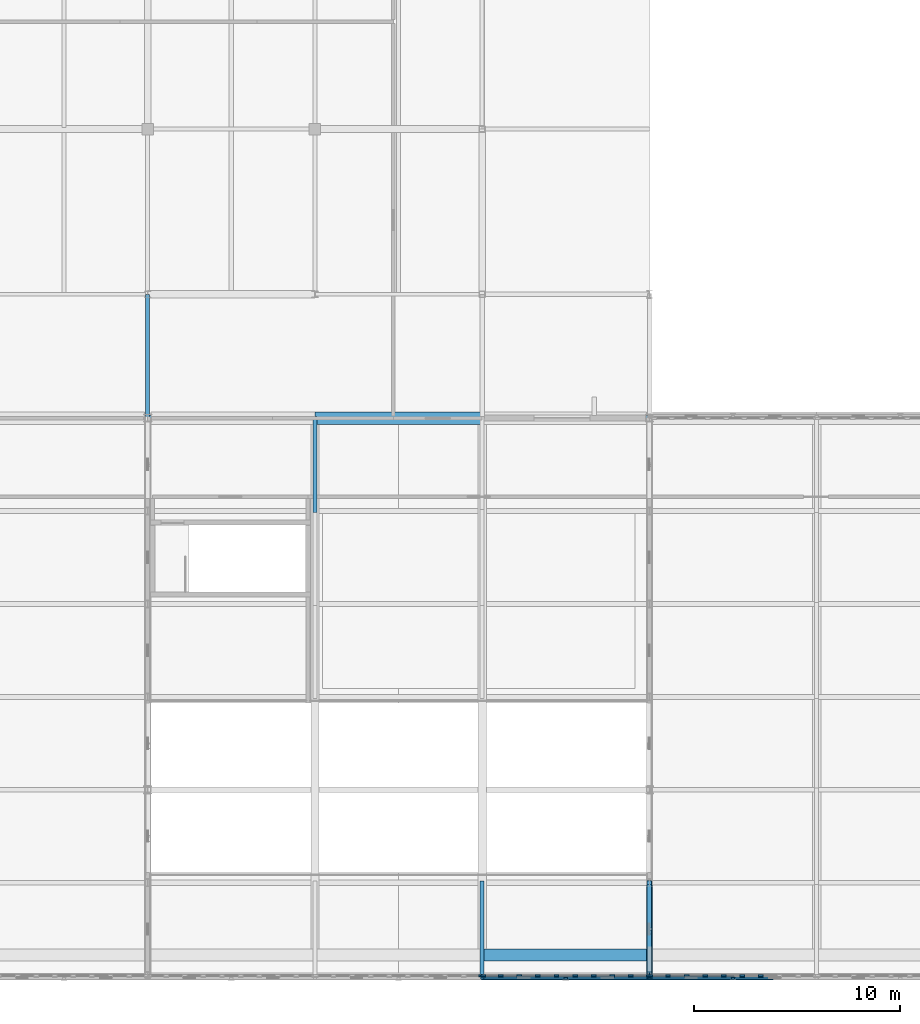
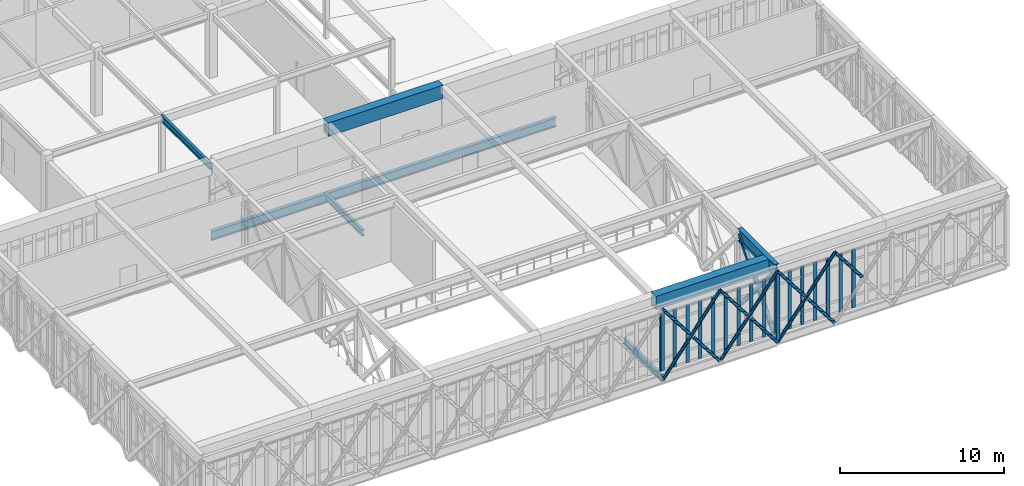
# One storey, part 15 of 70: 32 members, 7 beams, 3 elements without a shape of their own.
"""IFC4 building model written with IfcOpenShell, lengths in metres."""

from ifc_helpers import new_model, si_unit, direction, frame, origin, origin_2d, place, context, subcontext, project, spatial, rectangle, hollow_rectangle, hollow_circle, i_section, extrude, material, material_profile, profile_set, type_object, element, aggregate, save


model = new_model("IFC4")

# Units and contexts
model_context = context("Model", 3, precision=1e-05, world=origin(), true_north=direction((0.0, 1.0)))
body_context = subcontext(model_context, "Body", "Model", "MODEL_VIEW")
ifc_project = project(units=[si_unit("LENGTHUNIT", "METRE"), si_unit("AREAUNIT", "SQUARE_METRE"), si_unit("VOLUMEUNIT", "CUBIC_METRE"), si_unit("PLANEANGLEUNIT", "RADIAN"), si_unit("MASSUNIT", "GRAM", prefix="KILO")], contexts=[model_context])

# Site, building, storey
site_placement = place(None, origin())
site = spatial("IfcSite", under=ifc_project, at=site_placement, CompositionType="ELEMENT")
building_placement = place(site_placement, origin())
building = spatial("IfcBuilding", under=site, at=building_placement, Name="Tarnveldt Square Police Headquarters", CompositionType="ELEMENT")
storey_placement = place(building_placement, frame((0.0, 0.0, 19.800048828125)))
storey = spatial("IfcBuildingStorey", under=building, at=storey_placement, Name="L04", CompositionType="ELEMENT", Elevation=19.800048828125)

# Beams
ifc_material_1 = material(Name="Steel 350W", Category="steel")
ifc_material_profile_1 = material_profile(ifc_material_1, i_section(OverallWidth=0.305908203125, OverallDepth=0.9189453125, WebThickness=0.017333984375, FlangeThickness=0.02783203125, FilletRadius=0.02392578125, at=origin_2d()), Name="W920x253")
ifc_profile_set_1 = profile_set([ifc_material_profile_1], Name="Steel 350W")
beam_type_1 = type_object("IfcBeamType", Name="BM-CT-TOP", PredefinedType="BEAM", material=ifc_profile_set_1)
beam_1_placement = place(storey_placement, frame((48.60009765625, 11.5, 4.640380859375), z_axis=(0.0, -1.0, 0.0), x_axis=(1.0, 0.0, 0.0)))
element("IfcBeam", 1, at=beam_1_placement, inside=storey, type_object=beam_type_1, Name="Cantilever Truss CT-3 Top Chord 6", PredefinedType="BEAM", context=body_context, shape_type="SweptSolid", body=[
    extrude(i_section(OverallWidth=0.305908203125, OverallDepth=0.9189453125, WebThickness=0.017333984375, FlangeThickness=0.02783203125, FilletRadius=0.02392578125, at=origin_2d()), origin(), (0.0, 0.0, 1.0), 4.5),
])
ifc_material_2 = material(Name="Concrete 50 MPa", Category="concrete")
ifc_material_profile_2 = material_profile(ifc_material_2, rectangle(XDim=0.60009765625, YDim=1.0, at=origin_2d()), Name="RC-B600x1000")
ifc_profile_set_2 = profile_set([ifc_material_profile_2], Name="Concrete 50 MPa")
beam_type_2 = type_object("IfcBeamType", Name="BM-RC600x1000", PredefinedType="BEAM", material=ifc_profile_set_2)
beam_2_placement = place(storey_placement, frame((32.39990234375, 34.0, 4.599853515625), z_axis=(1.0, 0.0, 0.0), x_axis=(0.0, 1.0, 0.0)))
element("IfcBeam", 2, at=beam_2_placement, inside=storey, type_object=beam_type_2, Name="Command and Control Room Springing Edge Ring Beam N4", PredefinedType="BEAM", context=body_context, shape_type="SweptSolid", body=[
    extrude(rectangle(XDim=0.60009765625, YDim=1.0, at=origin_2d()), origin(), (0.0, 0.0, 1.0), 8.10009765625),
])
beam_3_placement = place(storey_placement, frame((40.5, 8.0, 4.599853515625), z_axis=(1.0, 0.0, 0.0), x_axis=(0.0, 1.0, 0.0)))
element("IfcBeam", 3, at=beam_3_placement, inside=storey, type_object=beam_type_2, Name="Command and Control Room Springing Edge Ring Beam S5", PredefinedType="BEAM", context=body_context, shape_type="SweptSolid", body=[
    extrude(rectangle(XDim=0.60009765625, YDim=1.0, at=origin_2d()), origin(), (0.0, 0.0, 1.0), 7.949951171875),
])
ifc_material_profile_3 = material_profile(ifc_material_1, i_section(OverallWidth=0.19189453125, OverallDepth=0.462890625, WebThickness=0.010498046875, FlangeThickness=0.017578125, FilletRadius=0.01806640625, at=origin_2d()), Name="W460x89")
ifc_profile_set_3 = profile_set([ifc_material_profile_3], Name="Steel 350W")
beam_type_3 = type_object("IfcBeamType", Name="BM-W460x89", PredefinedType="BEAM", material=ifc_profile_set_3)
beam_4_placement = place(storey_placement, frame((24.300048828125, 34.0, 4.528564453125), z_axis=(0.0, 1.0, 0.0), x_axis=(-1.0, 0.0, 0.0)))
element("IfcBeam", 4, at=beam_4_placement, inside=storey, type_object=beam_type_3, Name="L05 Grid Girder Y-0974", PredefinedType="BEAM", context=body_context, shape_type="SweptSolid", body=[
    extrude(i_section(OverallWidth=0.19189453125, OverallDepth=0.462890625, WebThickness=0.010498046875, FlangeThickness=0.017578125, FilletRadius=0.01806640625, at=origin_2d()), origin(), (0.0, 0.0, 1.0), 6.0),
])
for number, where, z_axis, x_axis, name in (
    (5, (32.39990234375, 34.080078125, -0.491455078125), (0.0, -1.0, 0.0), (1.0, 0.0, 0.0), "Lantern L04 Secondary Beam 32.0"),
    (6, (40.5, 11.580078125, -0.491455078125), (0.0, -1.0, 0.0), (1.0, 0.0, 0.0), "Lantern L04 Secondary Beam 40.5"),
):
    element("IfcBeam", number, at=place(storey_placement, frame(where, z_axis=z_axis, x_axis=x_axis)), inside=storey, type_object=beam_type_3, Name=name, PredefinedType="BEAM", context=body_context, shape_type="SweptSolid", body=[
        extrude(i_section(OverallWidth=0.19189453125, OverallDepth=0.462890625, WebThickness=0.010498046875, FlangeThickness=0.017578125, FilletRadius=0.01806640625, at=origin_2d()), origin(), (0.0, 0.0, 1.0), 4.66015625),
    ])
ifc_material_profile_4 = material_profile(ifc_material_1, i_section(OverallWidth=0.25390625, OverallDepth=0.68798828125, WebThickness=0.01318359375, FlangeThickness=0.02099609375, FilletRadius=0.02001953125, at=origin_2d()), Name="W690x152")
ifc_profile_set_4 = profile_set([ifc_material_profile_4], Name="Steel 350W")
beam_type_4 = type_object("IfcBeamType", Name="BM-W690x152", PredefinedType="BEAM", material=ifc_profile_set_4)
beam_5_placement = place(storey_placement, frame((24.300048828125, 34.0, -0.60400390625), z_axis=(1.0, 0.0, 0.0), x_axis=(0.0, 1.0, 0.0)))
element("IfcBeam", 7, at=beam_5_placement, inside=storey, type_object=beam_type_4, Name="Command Lantern L04 Transverse Girder 2.0", PredefinedType="BEAM", context=body_context, shape_type="SweptSolid", body=[
    extrude(i_section(OverallWidth=0.25390625, OverallDepth=0.68798828125, WebThickness=0.01318359375, FlangeThickness=0.02099609375, FilletRadius=0.02001953125, at=origin_2d()), origin(), (0.0, 0.0, 1.0), 24.300048828125),
])

# Curtain wall, member
ifc_material_3 = material(Name="UL 752 Level III laminated ballistic vision glass", Category="glass")
curtain_wall_type_1 = type_object("IfcCurtainWallType", Name="CW-BL-810x429", PredefinedType="USERDEFINED", material=ifc_material_3)
curtain_wall_1_placement = place(storey_placement, origin())
curtain_wall_1 = element("IfcCurtainWall", 8, at=curtain_wall_1_placement, inside=storey, type_object=curtain_wall_type_1, Name="L04 Curtain Wall CW-L04-043", ObjectType="BALLISTIC CURTAIN WALL", PredefinedType="USERDEFINED")
ifc_material_4 = material(Name="Thermally broken anodised aluminium 6063-T6", Category="aluminium")
ifc_material_profile_5 = material_profile(ifc_material_4, rectangle(XDim=0.0849609375, YDim=0.239990234375, at=origin_2d()), Name="CW-M85x240")
ifc_profile_set_5 = profile_set([ifc_material_profile_5], Name="Thermally broken anodised aluminium 6063-T6")
member_type_1 = type_object("IfcMemberType", Name="CWM-85x240", PredefinedType="MULLION", material=ifc_profile_set_5)
member_1_placement = place(storey_placement, frame((40.45751953125, 7.0, 0.0), z_axis=(0.0, 0.0, 1.0), x_axis=(0.0, 1.0, 0.0)))
member_1 = element("IfcMember", 9, at=member_1_placement, type_object=member_type_1, Name="CW-BL18 mullion 10", PredefinedType="MULLION", context=body_context, shape_type="SweptSolid", body=[
    extrude(rectangle(XDim=0.0849609375, YDim=0.239990234375, at=origin_2d()), origin(), (0.0, 0.0, 1.0), 4.288330078125),
])
aggregate(curtain_wall_1, [member_1])

# Curtain wall, members
curtain_wall_2_placement = place(storey_placement, origin())
curtain_wall_2 = element("IfcCurtainWall", 10, at=curtain_wall_2_placement, inside=storey, type_object=curtain_wall_type_1, Name="L04 Curtain Wall CW-L04-044", ObjectType="BALLISTIC CURTAIN WALL", PredefinedType="USERDEFINED")
member_2_placement = place(storey_placement, frame((40.54248046875, 7.0, 0.0), z_axis=(0.0, 0.0, 1.0), x_axis=(0.0, 1.0, 0.0)))
member_2 = element("IfcMember", 11, at=member_2_placement, type_object=member_type_1, Name="CW-BL18 mullion 1", PredefinedType="MULLION", context=body_context, shape_type="SweptSolid", body=[
    extrude(rectangle(XDim=0.0849609375, YDim=0.239990234375, at=origin_2d()), origin(), (0.0, 0.0, 1.0), 4.288330078125),
])
member_3_placement = place(storey_placement, frame((41.39990234375, 7.0, 0.0), z_axis=(0.0, 0.0, 1.0), x_axis=(0.0, 1.0, 0.0)))
member_3 = element("IfcMember", 12, at=member_3_placement, type_object=member_type_1, Name="CW-BL18 mullion 2", PredefinedType="MULLION", context=body_context, shape_type="SweptSolid", body=[
    extrude(rectangle(XDim=0.0849609375, YDim=0.239990234375, at=origin_2d()), origin(), (0.0, 0.0, 1.0), 4.288330078125),
])
member_4_placement = place(storey_placement, frame((42.300048828125, 7.0, 0.0), z_axis=(0.0, 0.0, 1.0), x_axis=(0.0, 1.0, 0.0)))
member_4 = element("IfcMember", 13, at=member_4_placement, type_object=member_type_1, Name="CW-BL18 mullion 3", PredefinedType="MULLION", context=body_context, shape_type="SweptSolid", body=[
    extrude(rectangle(XDim=0.0849609375, YDim=0.239990234375, at=origin_2d()), origin(), (0.0, 0.0, 1.0), 4.288330078125),
])
member_5_placement = place(storey_placement, frame((43.199951171875, 7.0, 0.0), z_axis=(0.0, 0.0, 1.0), x_axis=(0.0, 1.0, 0.0)))
member_5 = element("IfcMember", 14, at=member_5_placement, type_object=member_type_1, Name="CW-BL18 mullion 4", PredefinedType="MULLION", context=body_context, shape_type="SweptSolid", body=[
    extrude(rectangle(XDim=0.0849609375, YDim=0.239990234375, at=origin_2d()), origin(), (0.0, 0.0, 1.0), 4.288330078125),
])
member_6_placement = place(storey_placement, frame((44.10009765625, 7.0, 0.0), z_axis=(0.0, 0.0, 1.0), x_axis=(0.0, 1.0, 0.0)))
member_6 = element("IfcMember", 15, at=member_6_placement, type_object=member_type_1, Name="CW-BL18 mullion 5", PredefinedType="MULLION", context=body_context, shape_type="SweptSolid", body=[
    extrude(rectangle(XDim=0.0849609375, YDim=0.239990234375, at=origin_2d()), origin(), (0.0, 0.0, 1.0), 4.288330078125),
])
member_7_placement = place(storey_placement, frame((45.0, 7.0, 0.0), z_axis=(0.0, 0.0, 1.0), x_axis=(0.0, 1.0, 0.0)))
member_7 = element("IfcMember", 16, at=member_7_placement, type_object=member_type_1, Name="CW-BL18 mullion 6", PredefinedType="MULLION", context=body_context, shape_type="SweptSolid", body=[
    extrude(rectangle(XDim=0.0849609375, YDim=0.239990234375, at=origin_2d()), origin(), (0.0, 0.0, 1.0), 4.288330078125),
])
member_8_placement = place(storey_placement, frame((45.89990234375, 7.0, 0.0), z_axis=(0.0, 0.0, 1.0), x_axis=(0.0, 1.0, 0.0)))
member_8 = element("IfcMember", 17, at=member_8_placement, type_object=member_type_1, Name="CW-BL18 mullion 7", PredefinedType="MULLION", context=body_context, shape_type="SweptSolid", body=[
    extrude(rectangle(XDim=0.0849609375, YDim=0.239990234375, at=origin_2d()), origin(), (0.0, 0.0, 1.0), 4.288330078125),
])
member_9_placement = place(storey_placement, frame((46.800048828125, 7.0, 0.0), z_axis=(0.0, 0.0, 1.0), x_axis=(0.0, 1.0, 0.0)))
member_9 = element("IfcMember", 18, at=member_9_placement, type_object=member_type_1, Name="CW-BL18 mullion 8", PredefinedType="MULLION", context=body_context, shape_type="SweptSolid", body=[
    extrude(rectangle(XDim=0.0849609375, YDim=0.239990234375, at=origin_2d()), origin(), (0.0, 0.0, 1.0), 4.288330078125),
])
member_10_placement = place(storey_placement, frame((47.699951171875, 7.0, 0.0), z_axis=(0.0, 0.0, 1.0), x_axis=(0.0, 1.0, 0.0)))
member_10 = element("IfcMember", 19, at=member_10_placement, type_object=member_type_1, Name="CW-BL18 mullion 9", PredefinedType="MULLION", context=body_context, shape_type="SweptSolid", body=[
    extrude(rectangle(XDim=0.0849609375, YDim=0.239990234375, at=origin_2d()), origin(), (0.0, 0.0, 1.0), 4.288330078125),
])
member_11_placement = place(storey_placement, frame((48.5576171875, 7.0, 0.0), z_axis=(0.0, 0.0, 1.0), x_axis=(0.0, 1.0, 0.0)))
member_11 = element("IfcMember", 20, at=member_11_placement, type_object=member_type_1, Name="CW-BL18 mullion 10", PredefinedType="MULLION", context=body_context, shape_type="SweptSolid", body=[
    extrude(rectangle(XDim=0.0849609375, YDim=0.239990234375, at=origin_2d()), origin(), (0.0, 0.0, 1.0), 4.288330078125),
])
aggregate(curtain_wall_2, [member_2, member_3, member_4, member_5, member_6, member_7, member_8, member_9, member_10, member_11])

curtain_wall_type_2 = type_object("IfcCurtainWallType", Name="CW-BL-810x433", PredefinedType="USERDEFINED", material=ifc_material_3)
curtain_wall_3_placement = place(storey_placement, origin())
curtain_wall_3 = element("IfcCurtainWall", 21, at=curtain_wall_3_placement, inside=storey, type_object=curtain_wall_type_2, Name="L04 Curtain Wall CW-L04-045", ObjectType="BALLISTIC CURTAIN WALL", PredefinedType="USERDEFINED")
member_12_placement = place(storey_placement, frame((48.642578125, 7.0, 0.0), z_axis=(0.0, 0.0, 1.0), x_axis=(0.0, 1.0, 0.0)))
member_12 = element("IfcMember", 22, at=member_12_placement, type_object=member_type_1, Name="CW-BL17 mullion 1", PredefinedType="MULLION", context=body_context, shape_type="SweptSolid", body=[
    extrude(rectangle(XDim=0.0849609375, YDim=0.239990234375, at=origin_2d()), origin(), (0.0, 0.0, 1.0), 4.326416015625),
])
member_13_placement = place(storey_placement, frame((49.5, 7.0, 0.0), z_axis=(0.0, 0.0, 1.0), x_axis=(0.0, 1.0, 0.0)))
member_13 = element("IfcMember", 23, at=member_13_placement, type_object=member_type_1, Name="CW-BL17 mullion 2", PredefinedType="MULLION", context=body_context, shape_type="SweptSolid", body=[
    extrude(rectangle(XDim=0.0849609375, YDim=0.239990234375, at=origin_2d()), origin(), (0.0, 0.0, 1.0), 4.326416015625),
])
member_14_placement = place(storey_placement, frame((50.39990234375, 7.0, 0.0), z_axis=(0.0, 0.0, 1.0), x_axis=(0.0, 1.0, 0.0)))
member_14 = element("IfcMember", 24, at=member_14_placement, type_object=member_type_1, Name="CW-BL17 mullion 3", PredefinedType="MULLION", context=body_context, shape_type="SweptSolid", body=[
    extrude(rectangle(XDim=0.0849609375, YDim=0.239990234375, at=origin_2d()), origin(), (0.0, 0.0, 1.0), 4.326416015625),
])
member_15_placement = place(storey_placement, frame((51.300048828125, 7.0, 0.0), z_axis=(0.0, 0.0, 1.0), x_axis=(0.0, 1.0, 0.0)))
member_15 = element("IfcMember", 25, at=member_15_placement, type_object=member_type_1, Name="CW-BL17 mullion 4", PredefinedType="MULLION", context=body_context, shape_type="SweptSolid", body=[
    extrude(rectangle(XDim=0.0849609375, YDim=0.239990234375, at=origin_2d()), origin(), (0.0, 0.0, 1.0), 4.326416015625),
])
member_16_placement = place(storey_placement, frame((52.199951171875, 7.0, 0.0), z_axis=(0.0, 0.0, 1.0), x_axis=(0.0, 1.0, 0.0)))
member_16 = element("IfcMember", 26, at=member_16_placement, type_object=member_type_1, Name="CW-BL17 mullion 5", PredefinedType="MULLION", context=body_context, shape_type="SweptSolid", body=[
    extrude(rectangle(XDim=0.0849609375, YDim=0.239990234375, at=origin_2d()), origin(), (0.0, 0.0, 1.0), 4.326416015625),
])
member_17_placement = place(storey_placement, frame((53.10009765625, 7.0, 0.0), z_axis=(0.0, 0.0, 1.0), x_axis=(0.0, 1.0, 0.0)))
member_17 = element("IfcMember", 27, at=member_17_placement, type_object=member_type_1, Name="CW-BL17 mullion 6", PredefinedType="MULLION", context=body_context, shape_type="SweptSolid", body=[
    extrude(rectangle(XDim=0.0849609375, YDim=0.239990234375, at=origin_2d()), origin(), (0.0, 0.0, 1.0), 4.326416015625),
])
member_18_placement = place(storey_placement, frame((54.0, 7.0, 0.0), z_axis=(0.0, 0.0, 1.0), x_axis=(0.0, 1.0, 0.0)))
member_18 = element("IfcMember", 28, at=member_18_placement, type_object=member_type_1, Name="CW-BL17 mullion 7", PredefinedType="MULLION", context=body_context, shape_type="SweptSolid", body=[
    extrude(rectangle(XDim=0.0849609375, YDim=0.239990234375, at=origin_2d()), origin(), (0.0, 0.0, 1.0), 4.326416015625),
])
aggregate(curtain_wall_3, [member_12, member_13, member_14, member_15, member_16, member_17, member_18])

# Members
ifc_material_profile_6 = material_profile(ifc_material_1, i_section(OverallWidth=0.257080078125, OverallDepth=0.363037109375, WebThickness=0.012939453125, FlangeThickness=0.021728515625, FilletRadius=0.01611328125, at=origin_2d()), Name="W360x122")
ifc_profile_set_6 = profile_set([ifc_material_profile_6], Name="Steel 350W")
member_type_2 = type_object("IfcMemberType", Name="MEM-CT-POST", PredefinedType="STRUT", material=ifc_profile_set_6)
member_19_placement = place(storey_placement, frame((48.60009765625, 7.0, -0.64306640625), z_axis=(0.0, 0.0, 1.0), x_axis=(1.0, 0.0, 0.0)))
element("IfcMember", 29, at=member_19_placement, inside=storey, type_object=member_type_2, Name="Cantilever Truss CT-3 L04 Post 7", PredefinedType="STRUT", context=body_context, shape_type="SweptSolid", body=[
    extrude(i_section(OverallWidth=0.257080078125, OverallDepth=0.363037109375, WebThickness=0.012939453125, FlangeThickness=0.021728515625, FilletRadius=0.01611328125, at=origin_2d()), origin(), (0.0, 0.0, 1.0), 5.283447265625),
])
ifc_material_profile_7 = material_profile(ifc_material_1, hollow_rectangle(XDim=0.25390625, YDim=0.25390625, WallThickness=0.0126953125, InnerFilletRadius=0.0126953125, OuterFilletRadius=0.025390625, at=origin_2d()), Name="HSS254x254x13")
ifc_profile_set_7 = profile_set([ifc_material_profile_7], Name="Steel 350W")
member_type_3 = type_object("IfcMemberType", Name="MEM-CT-WEB2", PredefinedType="BRACE", material=ifc_profile_set_7)
member_20_placement = place(storey_placement, frame((48.60009765625, 11.5, -0.64306640625), z_axis=(0.0, -0.648406807061, 0.761294038173), x_axis=(1.0, 0.0, 0.0)))
element("IfcMember", 30, at=member_20_placement, inside=storey, type_object=member_type_3, Name="Cantilever Truss CT-3 L04 Web A6", PredefinedType="BRACE", context=body_context, shape_type="SweptSolid", body=[
    extrude(hollow_rectangle(XDim=0.25390625, YDim=0.25390625, WallThickness=0.0126953125, InnerFilletRadius=0.0126953125, OuterFilletRadius=0.025390625, at=origin_2d()), origin(), (0.0, 0.0, 1.0), 6.940185546875),
])
member_21_placement = place(storey_placement, frame((48.60009765625, 7.0, -0.64306640625), z_axis=(0.0, 0.648400353561, 0.761299534678), x_axis=(-1.0, 0.0, 0.0)))
element("IfcMember", 31, at=member_21_placement, inside=storey, type_object=member_type_3, Name="Cantilever Truss CT-3 L04 Web B6 Lower", PredefinedType="BRACE", context=body_context, shape_type="SweptSolid", body=[
    extrude(hollow_rectangle(XDim=0.25390625, YDim=0.25390625, WallThickness=0.0126953125, InnerFilletRadius=0.0126953125, OuterFilletRadius=0.025390625, at=origin_2d()), origin(), (0.0, 0.0, 1.0), 3.250244140625),
])
member_22_placement = place(storey_placement, frame((48.60009765625, 9.392578125, 2.166259765625), z_axis=(0.0, 0.648437434135, 0.761267951521), x_axis=(-1.0, 0.0, 0.0)))
element("IfcMember", 32, at=member_22_placement, inside=storey, type_object=member_type_3, Name="Cantilever Truss CT-3 L04 Web B6 Upper", PredefinedType="BRACE", context=body_context, shape_type="SweptSolid", body=[
    extrude(hollow_rectangle(XDim=0.25390625, YDim=0.25390625, WallThickness=0.0126953125, InnerFilletRadius=0.0126953125, OuterFilletRadius=0.025390625, at=origin_2d()), origin(), (0.0, 0.0, 1.0), 3.25),
])
ifc_material_profile_8 = material_profile(ifc_material_1, hollow_circle(Radius=0.109619140625, WallThickness=0.010986328125, at=origin_2d()), Name="HSS219x11")
ifc_profile_set_8 = profile_set([ifc_material_profile_8], Name="Steel 350W")
member_type_4 = type_object("IfcMemberType", Name="MEM-LT-DIAG2", PredefinedType="BRACE", material=ifc_profile_set_8)
member_23_placement = place(storey_placement, frame((40.5, 6.89990234375, -0.64306640625), z_axis=(0.608375338642, 0.0, 0.793649448644), x_axis=(0.0, 1.0, 0.0)))
element("IfcMember", 33, at=member_23_placement, inside=storey, type_object=member_type_4, Name="Command Lantern S Steel Lattice Brace 5.1A", PredefinedType="BRACE", context=body_context, shape_type="SweptSolid", body=[
    extrude(hollow_circle(Radius=0.109619140625, WallThickness=0.010986328125, at=origin_2d()), origin(), (0.0, 0.0, 1.0), 6.6572265625),
])
member_24_placement = place(storey_placement, frame((44.550048828125, 6.89990234375, -0.64306640625), z_axis=(-0.608344715413, 0.0, 0.793672922071), x_axis=(0.0, -1.0, 0.0)))
element("IfcMember", 34, at=member_24_placement, inside=storey, type_object=member_type_4, Name="Command Lantern S Steel Lattice Brace 5.1B Lower", PredefinedType="BRACE", context=body_context, shape_type="SweptSolid", body=[
    extrude(hollow_circle(Radius=0.109619140625, WallThickness=0.010986328125, at=origin_2d()), origin(), (0.0, 0.0, 1.0), 3.128662109375),
])
member_25_placement = place(storey_placement, frame((42.4033203125, 6.89990234375, 2.157470703125), z_axis=(-0.608382393445, 0.0, 0.793644040705), x_axis=(0.0, -1.0, 0.0)))
element("IfcMember", 35, at=member_25_placement, inside=storey, type_object=member_type_4, Name="Command Lantern S Steel Lattice Brace 5.1B Upper", PredefinedType="BRACE", context=body_context, shape_type="SweptSolid", body=[
    extrude(hollow_circle(Radius=0.109619140625, WallThickness=0.010986328125, at=origin_2d()), origin(), (0.0, 0.0, 1.0), 3.12841796875),
])
member_26_placement = place(storey_placement, frame((44.550048828125, 6.89990234375, -0.64306640625), z_axis=(0.608375338642, 0.0, 0.793649448644), x_axis=(0.0, 1.0, 0.0)))
element("IfcMember", 36, at=member_26_placement, inside=storey, type_object=member_type_4, Name="Command Lantern S Steel Lattice Brace 5.2A", PredefinedType="BRACE", context=body_context, shape_type="SweptSolid", body=[
    extrude(hollow_circle(Radius=0.109619140625, WallThickness=0.010986328125, at=origin_2d()), origin(), (0.0, 0.0, 1.0), 6.6572265625),
])
member_27_placement = place(storey_placement, frame((48.60009765625, 6.89990234375, -0.64306640625), z_axis=(-0.608344715413, 0.0, 0.793672922071), x_axis=(0.0, -1.0, 0.0)))
element("IfcMember", 37, at=member_27_placement, inside=storey, type_object=member_type_4, Name="Command Lantern S Steel Lattice Brace 5.2B Lower", PredefinedType="BRACE", context=body_context, shape_type="SweptSolid", body=[
    extrude(hollow_circle(Radius=0.109619140625, WallThickness=0.010986328125, at=origin_2d()), origin(), (0.0, 0.0, 1.0), 3.128662109375),
])
member_28_placement = place(storey_placement, frame((46.453369140625, 6.89990234375, 2.157470703125), z_axis=(-0.608382393445, 0.0, 0.793644040705), x_axis=(0.0, -1.0, 0.0)))
element("IfcMember", 38, at=member_28_placement, inside=storey, type_object=member_type_4, Name="Command Lantern S Steel Lattice Brace 5.2B Upper", PredefinedType="BRACE", context=body_context, shape_type="SweptSolid", body=[
    extrude(hollow_circle(Radius=0.109619140625, WallThickness=0.010986328125, at=origin_2d()), origin(), (0.0, 0.0, 1.0), 3.12841796875),
])
member_29_placement = place(storey_placement, frame((48.60009765625, 6.89990234375, -0.64306640625), z_axis=(0.608352238036, 0.0, 0.793667155977), x_axis=(0.0, 1.0, 0.0)))
element("IfcMember", 39, at=member_29_placement, inside=storey, type_object=member_type_4, Name="Command Lantern S Steel Lattice Brace 6.1A", PredefinedType="BRACE", context=body_context, shape_type="SweptSolid", body=[
    extrude(hollow_circle(Radius=0.109619140625, WallThickness=0.010986328125, at=origin_2d()), origin(), (0.0, 0.0, 1.0), 6.656982421875),
])
member_30_placement = place(storey_placement, frame((52.64990234375, 6.89990234375, -0.64306640625), z_axis=(-0.608344715413, 0.0, 0.793672922071), x_axis=(0.0, -1.0, 0.0)))
element("IfcMember", 40, at=member_30_placement, inside=storey, type_object=member_type_4, Name="Command Lantern S Steel Lattice Brace 6.1B Lower", PredefinedType="BRACE", context=body_context, shape_type="SweptSolid", body=[
    extrude(hollow_circle(Radius=0.109619140625, WallThickness=0.010986328125, at=origin_2d()), origin(), (0.0, 0.0, 1.0), 3.128662109375),
])
for number, where, z_axis, x_axis, name in (
    (41, (50.50341796875, 6.89990234375, 2.157470703125), (-0.608382393445, 0.0, 0.793644040705), (0.0, -1.0, 0.0), "Command Lantern S Steel Lattice Brace 6.1B Upper"),
    (42, (54.55322265625, 6.89990234375, 2.157470703125), (-0.608382393445, 0.0, 0.793644040705), (0.0, -1.0, 0.0), "Command Lantern S Steel Lattice Brace 6.2B Upper"),
):
    element("IfcMember", number, at=place(storey_placement, frame(where, z_axis=z_axis, x_axis=x_axis)), inside=storey, type_object=member_type_4, Name=name, PredefinedType="BRACE", context=body_context, shape_type="SweptSolid", body=[
        extrude(hollow_circle(Radius=0.109619140625, WallThickness=0.010986328125, at=origin_2d()), origin(), (0.0, 0.0, 1.0), 3.12841796875),
    ])

save(model, "model.ifc")
